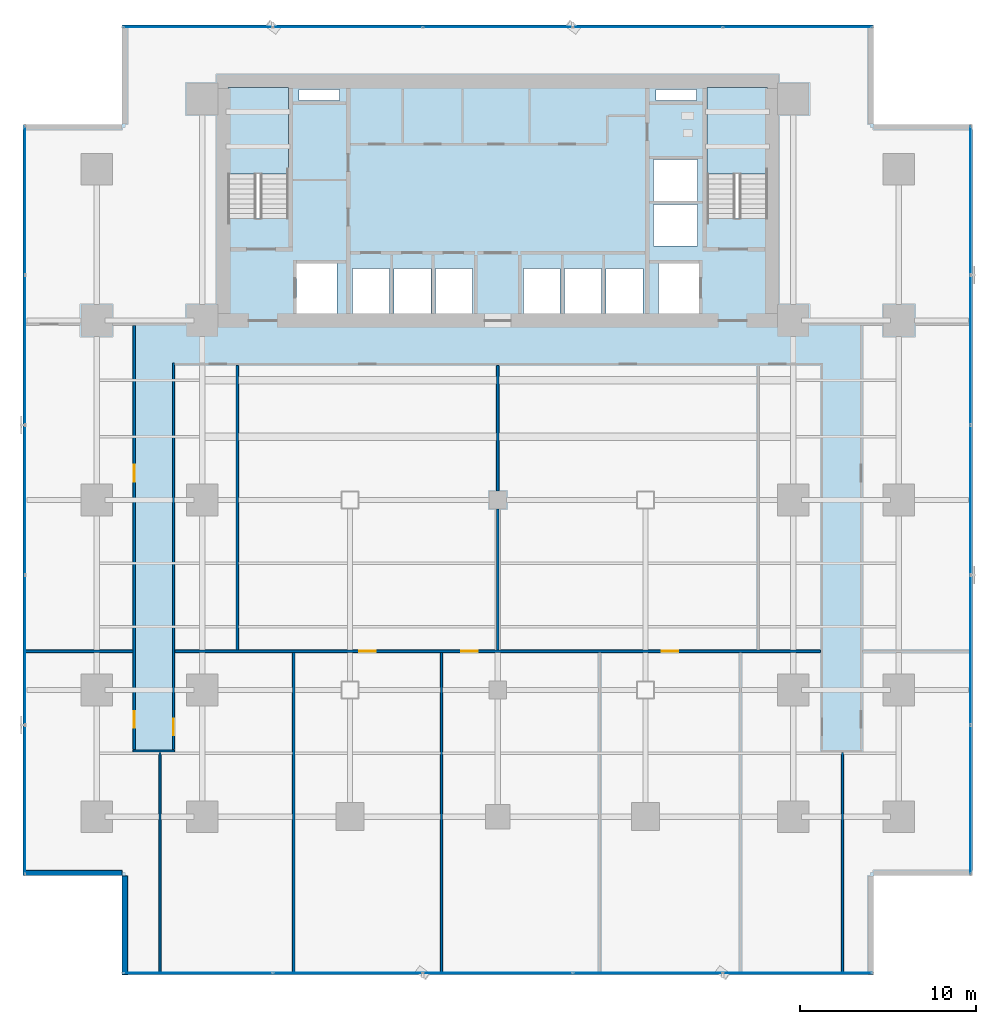
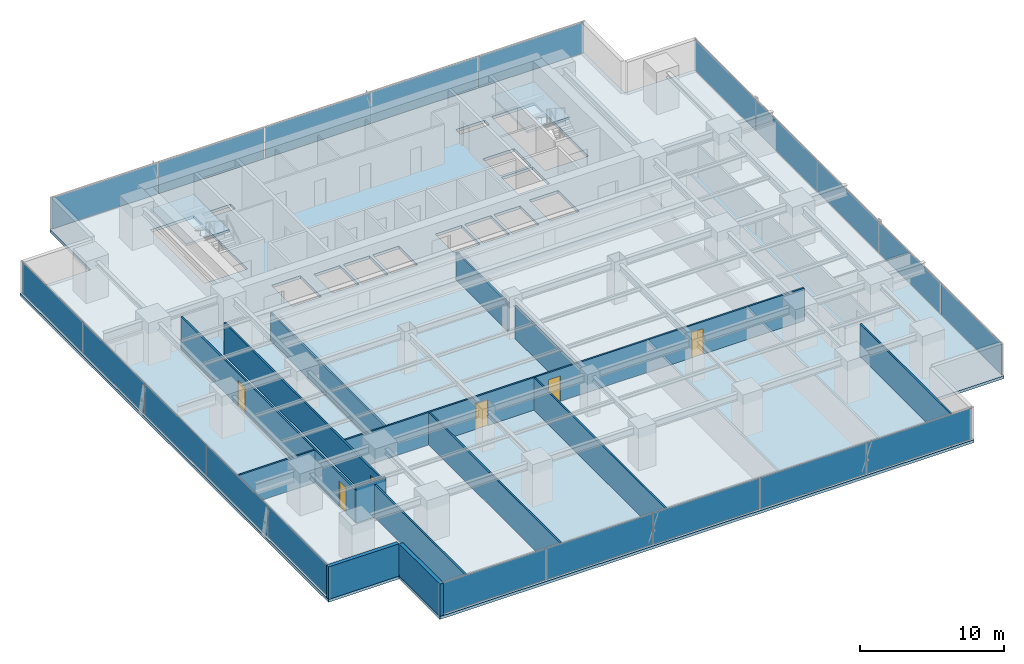
# One storey, part 24 of 34: 20 plates, 14 walls, 6 doors, 3 slabs, 6 openings, 6 elements without a shape of their own.
"""IFC4 building model written with IfcOpenShell, lengths in metres."""

from ifc_helpers import new_model, si_unit, direction, frame, frame_2d, origin, origin_2d, place, context, subcontext, project, spatial, polyline, rectangle, outline, extrude, source, transform, mapped, material, layer, layer_set, type_object, element, fill, aggregate, save


model = new_model("IFC4")

# Units and contexts
model_context = context("Model", 3, precision=1e-05, world=origin(), true_north=direction((0.0, 1.0)))
body_context = subcontext(model_context, "Body", "Model", "MODEL_VIEW")
ifc_project = project(units=[si_unit("LENGTHUNIT", "METRE"), si_unit("AREAUNIT", "SQUARE_METRE"), si_unit("VOLUMEUNIT", "CUBIC_METRE"), si_unit("PLANEANGLEUNIT", "RADIAN"), si_unit("MASSUNIT", "GRAM", prefix="KILO")], contexts=[model_context])

# Site, building, storey
site_placement = place(None, origin())
site = spatial("IfcSite", under=ifc_project, at=site_placement, CompositionType="ELEMENT")
building_placement = place(site_placement, origin())
building = spatial("IfcBuilding", under=site, at=building_placement, Name="Sumidabori Civic Tower", CompositionType="ELEMENT")
storey_placement = place(building_placement, frame((0.0, 0.0, 34.39990234375)))
storey = spatial("IfcBuildingStorey", under=building, at=storey_placement, Name="L08", CompositionType="ELEMENT", Elevation=34.39990234375)

# Stair, slab
ifc_material_1 = material(Name="Concrete C40/50", Category="concrete")
stair_type = type_object("IfcStairType", Name="ST-CORE-1600", PredefinedType="HALF_TURN_STAIR", material=ifc_material_1)
stair_1_placement = place(storey_placement, origin())
stair_1 = element("IfcStair", 1, at=stair_1_placement, inside=storey, type_object=stair_type, Name="L08 ST-1", PredefinedType="HALF_TURN_STAIR")
ifc_layer_1 = layer(ifc_material_1, 0.199951171875, Name="Concrete C40/50")
ifc_layer_set_1 = layer_set([ifc_layer_1], Name="Concrete C40/50")
slab_type_1 = type_object("IfcSlabType", Name="SL-LAND-200", PredefinedType="LANDING", material=ifc_layer_set_1)
slab_1_placement = place(storey_placement, frame((0.0, 0.0, 1.60009765625)))
slab_1 = element("IfcSlab", 2, at=slab_1_placement, type_object=slab_type_1, Name="ST-1 landing 1", PredefinedType="LANDING", context=body_context, shape_type="SweptSolid", body=[
    extrude(outline(polyline([(-11.89990234375, 18.52001953125), (-11.89990234375, 23.449951171875), (-15.340087890625, 23.449951171875), (-15.340087890625, 18.52001953125), (-11.89990234375, 18.52001953125)])), origin(), (0.0, 0.0, 1.0), 0.199951171875),
])
aggregate(stair_1, [slab_1])

stair_2_placement = place(storey_placement, origin())
stair_2 = element("IfcStair", 3, at=stair_2_placement, inside=storey, type_object=stair_type, Name="L08 ST-2", PredefinedType="HALF_TURN_STAIR")
slab_2_placement = place(storey_placement, frame((0.0, 0.0, 1.60009765625)))
slab_2 = element("IfcSlab", 4, at=slab_2_placement, type_object=slab_type_1, Name="ST-2 landing 1", PredefinedType="LANDING", context=body_context, shape_type="SweptSolid", body=[
    extrude(outline(polyline([(15.340087890625, 18.52001953125), (15.340087890625, 23.449951171875), (11.89990234375, 23.449951171875), (11.89990234375, 18.52001953125), (15.340087890625, 18.52001953125)])), origin(), (0.0, 0.0, 1.0), 0.199951171875),
])
aggregate(stair_2, [slab_2])

# Slab
ifc_layer_2 = layer(ifc_material_1, 0.239990234375, Name="Concrete C40/50")
ifc_layer_set_2 = layer_set([ifc_layer_2], Name="Concrete C40/50")
slab_type_2 = type_object("IfcSlabType", Name="SL-Z1-240", PredefinedType="FLOOR", material=ifc_layer_set_2)
slab_3_placement = place(storey_placement, frame((0.0, 0.0, -0.239990234375)))
element("IfcSlab", 5, at=slab_3_placement, inside=storey, type_object=slab_type_2, Name="Structural Slab L08", PredefinedType="FLOOR", context=body_context, shape_type="SweptSolid", body=[
    extrude(outline(polyline([(-21.35009765625, -27.0), (21.35009765625, -27.0), (21.35009765625, -21.35009765625), (27.0, -21.35009765625), (27.0, 21.35009765625), (21.35009765625, 21.35009765625), (21.35009765625, 27.0), (-21.35009765625, 27.0), (-21.35009765625, 21.35009765625), (-27.0, 21.35009765625), (-27.0, -21.35009765625), (-21.35009765625, -21.35009765625), (-21.35009765625, -27.0)]), holes=[polyline([(-11.89990234375, 16.0), (-11.89990234375, 23.449951171875), (-15.340087890625, 23.449951171875), (-15.340087890625, 16.0), (-11.89990234375, 16.0)]), polyline([(15.340087890625, 16.0), (15.340087890625, 23.449951171875), (11.89990234375, 23.449951171875), (11.89990234375, 16.0), (15.340087890625, 16.0)]), polyline([(-11.449951171875, 10.550048828125), (-9.14990234375, 10.550048828125), (-9.14990234375, 13.449951171875), (-11.449951171875, 13.449951171875), (-11.449951171875, 10.550048828125)]), polyline([(9.14990234375, 10.550048828125), (11.449951171875, 10.550048828125), (11.449951171875, 13.449951171875), (9.14990234375, 13.449951171875), (9.14990234375, 10.550048828125)]), polyline([(-8.25, 10.550048828125), (-6.14990234375, 10.550048828125), (-6.14990234375, 13.14990234375), (-8.25, 13.14990234375), (-8.25, 10.550048828125)]), polyline([(-5.89990234375, 10.550048828125), (-3.800048828125, 10.550048828125), (-3.800048828125, 13.14990234375), (-5.89990234375, 13.14990234375), (-5.89990234375, 10.550048828125)]), polyline([(-3.550048828125, 10.550048828125), (-1.449951171875, 10.550048828125), (-1.449951171875, 13.14990234375), (-3.550048828125, 13.14990234375), (-3.550048828125, 10.550048828125)]), polyline([(1.449951171875, 10.550048828125), (3.550048828125, 10.550048828125), (3.550048828125, 13.14990234375), (1.449951171875, 13.14990234375), (1.449951171875, 10.550048828125)]), polyline([(3.800048828125, 10.550048828125), (5.89990234375, 10.550048828125), (5.89990234375, 13.14990234375), (3.800048828125, 13.14990234375), (3.800048828125, 10.550048828125)]), polyline([(6.14990234375, 10.550048828125), (8.25, 10.550048828125), (8.25, 13.14990234375), (6.14990234375, 13.14990234375), (6.14990234375, 10.550048828125)]), polyline([(8.85009765625, 14.449951171875), (11.35009765625, 14.449951171875), (11.35009765625, 16.800048828125), (8.85009765625, 16.800048828125), (8.85009765625, 14.449951171875)]), polyline([(8.85009765625, 17.0), (11.35009765625, 17.0), (11.35009765625, 19.35009765625), (8.85009765625, 19.35009765625), (8.85009765625, 17.0)]), polyline([(-11.300048828125, 22.719970703125), (-9.0, 22.719970703125), (-9.0, 23.35009765625), (-11.300048828125, 23.35009765625), (-11.300048828125, 22.719970703125)]), polyline([(9.0, 22.719970703125), (11.300048828125, 22.719970703125), (11.300048828125, 23.35009765625), (9.0, 23.35009765625), (9.0, 22.719970703125)])]), origin(), (0.0, 0.0, 1.0), 0.239990234375),
])

# Curtain wall, plates
ifc_material_2 = material(Name="Anodised Bronze Aluminium AW-6063-T6", Category="aluminium")
ifc_layer_3 = layer(ifc_material_2, 0.179931640625, Name="Anodised Bronze Aluminium AW-6063-T6")
ifc_layer_set_3 = layer_set([ifc_layer_3], Name="Anodised Bronze Aluminium AW-6063-T6")
curtain_wall_type = type_object("IfcCurtainWallType", Name="CW-SYS-2", PredefinedType="NOTDEFINED", material=ifc_layer_set_3)
curtain_wall_1_placement = place(storey_placement, origin())
curtain_wall_1 = element("IfcCurtainWall", 6, at=curtain_wall_1_placement, inside=storey, type_object=curtain_wall_type, Name="Curtain Wall CW:L08:R01", PredefinedType="NOTDEFINED")
ifc_material_3 = material(Name="Low-E Solar-Control Vision Glazing", Category="glass")
ifc_layer_4 = layer(ifc_material_3, 0.028076171875, Name="Low-E Solar-Control Vision Glazing")
ifc_layer_set_4 = layer_set([ifc_layer_4], Name="Low-E Solar-Control Vision Glazing")
plate_type = type_object("IfcPlateType", Name="CW-PNL-28", PredefinedType="CURTAIN_PANEL", material=ifc_layer_set_4)
shared_shape_1 = source(origin(), body_context, "Body", "SweptSolid", [
    extrude(rectangle(XDim=8.423095703125, YDim=0.028076171875, at=origin_2d()), origin(), (0.0, 0.0, 1.0), 2.610107421875),
])
plate_1_placement = place(storey_placement, frame((-17.03857421875, -26.8798828125, 0.06494140625), z_axis=(0.0, 0.0, 1.0), x_axis=(1.0, 0.0, 0.0)))
plate_1 = element("IfcPlate", 7, at=plate_1_placement, type_object=plate_type, Name="CW-2 panel 1.1", PredefinedType="CURTAIN_PANEL", context=body_context, shape_type="MappedRepresentation", body=[
    mapped(shared_shape_1, transform((0.0, 0.0, 0.0), x_axis=(1.0, 0.0, 0.0), y_axis=(0.0, 1.0, 0.0), z_axis=(0.0, 0.0, 1.0), scale=1.0)),
])
plate_2_placement = place(storey_placement, frame((17.03857421875, -26.8798828125, 0.06494140625), z_axis=(0.0, 0.0, 1.0), x_axis=(1.0, 0.0, 0.0)))
plate_2 = element("IfcPlate", 8, at=plate_2_placement, type_object=plate_type, Name="CW-2 panel 5.1", PredefinedType="CURTAIN_PANEL", context=body_context, shape_type="MappedRepresentation", body=[
    mapped(shared_shape_1, transform((0.0, 0.0, 0.0), x_axis=(1.0, 0.0, 0.0), y_axis=(0.0, 1.0, 0.0), z_axis=(0.0, 0.0, 1.0), scale=1.0)),
])

curtain_wall_2_placement = place(storey_placement, origin())
curtain_wall_2 = element("IfcCurtainWall", 9, at=curtain_wall_2_placement, inside=storey, type_object=curtain_wall_type, Name="Curtain Wall CW:L08:R04", PredefinedType="NOTDEFINED")
plate_3_placement = place(storey_placement, frame((26.8798828125, -17.03857421875, 0.06494140625), z_axis=(0.0, 0.0, 1.0), x_axis=(0.0, 1.0, 0.0)))
plate_3 = element("IfcPlate", 10, at=plate_3_placement, type_object=plate_type, Name="CW-2 panel 1.1", PredefinedType="CURTAIN_PANEL", context=body_context, shape_type="MappedRepresentation", body=[
    mapped(shared_shape_1, transform((0.0, 0.0, 0.0), x_axis=(1.0, 0.0, 0.0), y_axis=(0.0, 1.0, 0.0), z_axis=(0.0, 0.0, 1.0), scale=1.0)),
])
plate_4_placement = place(storey_placement, frame((26.8798828125, 17.03857421875, 0.06494140625), z_axis=(0.0, 0.0, 1.0), x_axis=(0.0, 1.0, 0.0)))
plate_4 = element("IfcPlate", 11, at=plate_4_placement, type_object=plate_type, Name="CW-2 panel 5.1", PredefinedType="CURTAIN_PANEL", context=body_context, shape_type="MappedRepresentation", body=[
    mapped(shared_shape_1, transform((0.0, 0.0, 0.0), x_axis=(1.0, 0.0, 0.0), y_axis=(0.0, 1.0, 0.0), z_axis=(0.0, 0.0, 1.0), scale=1.0)),
])

curtain_wall_3_placement = place(storey_placement, origin())
curtain_wall_3 = element("IfcCurtainWall", 12, at=curtain_wall_3_placement, inside=storey, type_object=curtain_wall_type, Name="Curtain Wall CW:L08:R07", PredefinedType="NOTDEFINED")
plate_5_placement = place(storey_placement, frame((17.03857421875, 26.8798828125, 0.06494140625), z_axis=(0.0, 0.0, 1.0), x_axis=(-1.0, 0.0, 0.0)))
plate_5 = element("IfcPlate", 13, at=plate_5_placement, type_object=plate_type, Name="CW-2 panel 1.1", PredefinedType="CURTAIN_PANEL", context=body_context, shape_type="MappedRepresentation", body=[
    mapped(shared_shape_1, transform((0.0, 0.0, 0.0), x_axis=(1.0, 0.0, 0.0), y_axis=(0.0, 1.0, 0.0), z_axis=(0.0, 0.0, 1.0), scale=1.0)),
])
plate_6_placement = place(storey_placement, frame((-17.03857421875, 26.8798828125, 0.06494140625), z_axis=(0.0, 0.0, 1.0), x_axis=(-1.0, 0.0, 0.0)))
plate_6 = element("IfcPlate", 14, at=plate_6_placement, type_object=plate_type, Name="CW-2 panel 5.1", PredefinedType="CURTAIN_PANEL", context=body_context, shape_type="MappedRepresentation", body=[
    mapped(shared_shape_1, transform((0.0, 0.0, 0.0), x_axis=(1.0, 0.0, 0.0), y_axis=(0.0, 1.0, 0.0), z_axis=(0.0, 0.0, 1.0), scale=1.0)),
])

curtain_wall_4_placement = place(storey_placement, origin())
curtain_wall_4 = element("IfcCurtainWall", 15, at=curtain_wall_4_placement, inside=storey, type_object=curtain_wall_type, Name="Curtain Wall CW:L08:R10", PredefinedType="NOTDEFINED")
plate_7_placement = place(storey_placement, frame((-26.8798828125, 17.03857421875, 0.06494140625), z_axis=(0.0, 0.0, 1.0), x_axis=(0.0, -1.0, 0.0)))
plate_7 = element("IfcPlate", 16, at=plate_7_placement, type_object=plate_type, Name="CW-2 panel 1.1", PredefinedType="CURTAIN_PANEL", context=body_context, shape_type="MappedRepresentation", body=[
    mapped(shared_shape_1, transform((0.0, 0.0, 0.0), x_axis=(1.0, 0.0, 0.0), y_axis=(0.0, 1.0, 0.0), z_axis=(0.0, 0.0, 1.0), scale=1.0)),
])
plate_8_placement = place(storey_placement, frame((-26.8798828125, -17.03857421875, 0.06494140625), z_axis=(0.0, 0.0, 1.0), x_axis=(0.0, -1.0, 0.0)))
plate_8 = element("IfcPlate", 17, at=plate_8_placement, type_object=plate_type, Name="CW-2 panel 5.1", PredefinedType="CURTAIN_PANEL", context=body_context, shape_type="MappedRepresentation", body=[
    mapped(shared_shape_1, transform((0.0, 0.0, 0.0), x_axis=(1.0, 0.0, 0.0), y_axis=(0.0, 1.0, 0.0), z_axis=(0.0, 0.0, 1.0), scale=1.0)),
])

# Plate
shared_shape_2 = source(origin(), body_context, "Body", "SweptSolid", [
    extrude(rectangle(XDim=8.4580078125, YDim=0.028076171875, at=origin_2d()), origin(), (0.0, 0.0, 1.0), 2.610107421875),
])
plate_9_placement = place(storey_placement, frame((-8.528076171875, -26.8798828125, 0.06494140625), z_axis=(0.0, 0.0, 1.0), x_axis=(1.0, 0.0, 0.0)))
plate_9 = element("IfcPlate", 18, at=plate_9_placement, type_object=plate_type, Name="CW-2 panel 2.1", PredefinedType="CURTAIN_PANEL", context=body_context, shape_type="MappedRepresentation", body=[
    mapped(shared_shape_2, transform((0.0, 0.0, 0.0), x_axis=(1.0, 0.0, 0.0), y_axis=(0.0, 1.0, 0.0), z_axis=(0.0, 0.0, 1.0), scale=1.0)),
])

plate_10_placement = place(storey_placement, frame((0.0, -26.8798828125, 0.06494140625), z_axis=(0.0, 0.0, 1.0), x_axis=(1.0, 0.0, 0.0)))
plate_10 = element("IfcPlate", 19, at=plate_10_placement, type_object=plate_type, Name="CW-2 panel 3.1", PredefinedType="CURTAIN_PANEL", context=body_context, shape_type="MappedRepresentation", body=[
    mapped(shared_shape_2, transform((0.0, 0.0, 0.0), x_axis=(1.0, 0.0, 0.0), y_axis=(0.0, 1.0, 0.0), z_axis=(0.0, 0.0, 1.0), scale=1.0)),
])

plate_11_placement = place(storey_placement, frame((8.528076171875, -26.8798828125, 0.06494140625), z_axis=(0.0, 0.0, 1.0), x_axis=(1.0, 0.0, 0.0)))
plate_11 = element("IfcPlate", 20, at=plate_11_placement, type_object=plate_type, Name="CW-2 panel 4.1", PredefinedType="CURTAIN_PANEL", context=body_context, shape_type="MappedRepresentation", body=[
    mapped(shared_shape_2, transform((0.0, 0.0, 0.0), x_axis=(1.0, 0.0, 0.0), y_axis=(0.0, 1.0, 0.0), z_axis=(0.0, 0.0, 1.0), scale=1.0)),
])

aggregate(curtain_wall_1, [plate_1, plate_9, plate_10, plate_11, plate_2])

plate_12_placement = place(storey_placement, frame((26.8798828125, -8.528076171875, 0.06494140625), z_axis=(0.0, 0.0, 1.0), x_axis=(0.0, 1.0, 0.0)))
plate_12 = element("IfcPlate", 21, at=plate_12_placement, type_object=plate_type, Name="CW-2 panel 2.1", PredefinedType="CURTAIN_PANEL", context=body_context, shape_type="MappedRepresentation", body=[
    mapped(shared_shape_2, transform((0.0, 0.0, 0.0), x_axis=(1.0, 0.0, 0.0), y_axis=(0.0, 1.0, 0.0), z_axis=(0.0, 0.0, 1.0), scale=1.0)),
])

plate_13_placement = place(storey_placement, frame((26.8798828125, 0.0, 0.06494140625), z_axis=(0.0, 0.0, 1.0), x_axis=(0.0, 1.0, 0.0)))
plate_13 = element("IfcPlate", 22, at=plate_13_placement, type_object=plate_type, Name="CW-2 panel 3.1", PredefinedType="CURTAIN_PANEL", context=body_context, shape_type="MappedRepresentation", body=[
    mapped(shared_shape_2, transform((0.0, 0.0, 0.0), x_axis=(1.0, 0.0, 0.0), y_axis=(0.0, 1.0, 0.0), z_axis=(0.0, 0.0, 1.0), scale=1.0)),
])

plate_14_placement = place(storey_placement, frame((26.8798828125, 8.528076171875, 0.06494140625), z_axis=(0.0, 0.0, 1.0), x_axis=(0.0, 1.0, 0.0)))
plate_14 = element("IfcPlate", 23, at=plate_14_placement, type_object=plate_type, Name="CW-2 panel 4.1", PredefinedType="CURTAIN_PANEL", context=body_context, shape_type="MappedRepresentation", body=[
    mapped(shared_shape_2, transform((0.0, 0.0, 0.0), x_axis=(1.0, 0.0, 0.0), y_axis=(0.0, 1.0, 0.0), z_axis=(0.0, 0.0, 1.0), scale=1.0)),
])

aggregate(curtain_wall_2, [plate_3, plate_12, plate_13, plate_14, plate_4])

plate_15_placement = place(storey_placement, frame((8.528076171875, 26.8798828125, 0.06494140625), z_axis=(0.0, 0.0, 1.0), x_axis=(-1.0, 0.0, 0.0)))
plate_15 = element("IfcPlate", 24, at=plate_15_placement, type_object=plate_type, Name="CW-2 panel 2.1", PredefinedType="CURTAIN_PANEL", context=body_context, shape_type="MappedRepresentation", body=[
    mapped(shared_shape_2, transform((0.0, 0.0, 0.0), x_axis=(1.0, 0.0, 0.0), y_axis=(0.0, 1.0, 0.0), z_axis=(0.0, 0.0, 1.0), scale=1.0)),
])

plate_16_placement = place(storey_placement, frame((0.0, 26.8798828125, 0.06494140625), z_axis=(0.0, 0.0, 1.0), x_axis=(-1.0, 0.0, 0.0)))
plate_16 = element("IfcPlate", 25, at=plate_16_placement, type_object=plate_type, Name="CW-2 panel 3.1", PredefinedType="CURTAIN_PANEL", context=body_context, shape_type="MappedRepresentation", body=[
    mapped(shared_shape_2, transform((0.0, 0.0, 0.0), x_axis=(1.0, 0.0, 0.0), y_axis=(0.0, 1.0, 0.0), z_axis=(0.0, 0.0, 1.0), scale=1.0)),
])

plate_17_placement = place(storey_placement, frame((-8.528076171875, 26.8798828125, 0.06494140625), z_axis=(0.0, 0.0, 1.0), x_axis=(-1.0, 0.0, 0.0)))
plate_17 = element("IfcPlate", 26, at=plate_17_placement, type_object=plate_type, Name="CW-2 panel 4.1", PredefinedType="CURTAIN_PANEL", context=body_context, shape_type="MappedRepresentation", body=[
    mapped(shared_shape_2, transform((0.0, 0.0, 0.0), x_axis=(1.0, 0.0, 0.0), y_axis=(0.0, 1.0, 0.0), z_axis=(0.0, 0.0, 1.0), scale=1.0)),
])

aggregate(curtain_wall_3, [plate_5, plate_15, plate_16, plate_17, plate_6])

plate_18_placement = place(storey_placement, frame((-26.8798828125, 8.528076171875, 0.06494140625), z_axis=(0.0, 0.0, 1.0), x_axis=(0.0, -1.0, 0.0)))
plate_18 = element("IfcPlate", 27, at=plate_18_placement, type_object=plate_type, Name="CW-2 panel 2.1", PredefinedType="CURTAIN_PANEL", context=body_context, shape_type="MappedRepresentation", body=[
    mapped(shared_shape_2, transform((0.0, 0.0, 0.0), x_axis=(1.0, 0.0, 0.0), y_axis=(0.0, 1.0, 0.0), z_axis=(0.0, 0.0, 1.0), scale=1.0)),
])

plate_19_placement = place(storey_placement, frame((-26.8798828125, 0.0, 0.06494140625), z_axis=(0.0, 0.0, 1.0), x_axis=(0.0, -1.0, 0.0)))
plate_19 = element("IfcPlate", 28, at=plate_19_placement, type_object=plate_type, Name="CW-2 panel 3.1", PredefinedType="CURTAIN_PANEL", context=body_context, shape_type="MappedRepresentation", body=[
    mapped(shared_shape_2, transform((0.0, 0.0, 0.0), x_axis=(1.0, 0.0, 0.0), y_axis=(0.0, 1.0, 0.0), z_axis=(0.0, 0.0, 1.0), scale=1.0)),
])

plate_20_placement = place(storey_placement, frame((-26.8798828125, -8.528076171875, 0.06494140625), z_axis=(0.0, 0.0, 1.0), x_axis=(0.0, -1.0, 0.0)))
plate_20 = element("IfcPlate", 29, at=plate_20_placement, type_object=plate_type, Name="CW-2 panel 4.1", PredefinedType="CURTAIN_PANEL", context=body_context, shape_type="MappedRepresentation", body=[
    mapped(shared_shape_2, transform((0.0, 0.0, 0.0), x_axis=(1.0, 0.0, 0.0), y_axis=(0.0, 1.0, 0.0), z_axis=(0.0, 0.0, 1.0), scale=1.0)),
])

aggregate(curtain_wall_4, [plate_7, plate_18, plate_19, plate_20, plate_8])

# Walls
ifc_material_4 = material(Name="Precast concrete C40/50", Category="concrete")
ifc_layer_5 = layer(ifc_material_4, 0.300048828125, Name="Precast concrete C40/50")
ifc_layer_set_5 = layer_set([ifc_layer_5], Name="Precast concrete C40/50")
wall_type_1 = type_object("IfcWallType", Name="WL-EXT-POD300", PredefinedType="STANDARD", material=ifc_layer_set_5)
shared_shape_3 = source(origin(), body_context, "Body", "SweptSolid", [
    extrude(rectangle(XDim=5.60986328125, YDim=0.300048828125, at=frame_2d((2.804931640625, 0.0))), origin(), (0.0, 0.0, 1.0), 2.739990234375),
])
for number, where, z_axis, x_axis, name in (
    (30, (-26.97998046875, -21.199951171875, 0.0), (0.0, 0.0, 1.0), (1.0, 0.0, 0.0), "Notched Corner Spandrel Band L08-11"),
    (31, (-21.199951171875, -21.3701171875, 0.0), (0.0, 0.0, 1.0), (0.0, -1.0, 0.0), "Notched Corner Spandrel Band L08-12"),
):
    element("IfcWall", number, at=place(storey_placement, frame(where, z_axis=z_axis, x_axis=x_axis)), inside=storey, type_object=wall_type_1, Name=name, PredefinedType="STANDARD", context=body_context, shape_type="MappedRepresentation", body=[
        mapped(shared_shape_3, transform((0.0, 0.0, 0.0), x_axis=(1.0, 0.0, 0.0), y_axis=(0.0, 1.0, 0.0), z_axis=(0.0, 0.0, 1.0), scale=1.0)),
    ])
ifc_material_5 = material(Name="Gypsum Plasterboard Acoustic Partition")
ifc_layer_6 = layer(ifc_material_5, 0.135009765625, Name="Gypsum Plasterboard Acoustic Partition")
ifc_layer_set_6 = layer_set([ifc_layer_6], Name="Gypsum Plasterboard Acoustic Partition")
wall_type_2 = type_object("IfcWallType", Name="WL-PART-135", PredefinedType="PARTITIONING", material=ifc_layer_set_6)
shared_shape_4 = source(origin(), body_context, "Body", "SweptSolid", [
    extrude(rectangle(XDim=2.3701171875, YDim=0.135009765625, at=frame_2d((1.18505859375, 0.0))), origin(), (0.0, 0.0, 1.0), 3.045166015625),
])
wall_1_placement = place(storey_placement, frame((-20.735107421875, -14.267578125, 0.0), z_axis=(0.0, 0.0, 1.0), x_axis=(1.0, 0.0, 0.0)))
element("IfcWall", 32, at=wall_1_placement, inside=storey, type_object=wall_type_2, Name="Interior Partition WL:L08:CORR-CAP-W", PredefinedType="PARTITIONING", context=body_context, shape_type="MappedRepresentation", body=[
    mapped(shared_shape_4, transform((0.0, 0.0, 0.0), x_axis=(1.0, 0.0, 0.0), y_axis=(0.0, 1.0, 0.0), z_axis=(0.0, 0.0, 1.0), scale=1.0)),
])

# Wall, openings, doors
shared_shape_5 = source(origin(), body_context, "Body", "SweptSolid", [
    extrude(rectangle(XDim=24.12255859375, YDim=0.135009765625, at=frame_2d((12.061279296875, 0.0))), origin(), (0.0, 0.0, 1.0), 2.7451171875),
])
wall_2_placement = place(storey_placement, frame((-20.66748046875, -14.195068359375, 0.0), z_axis=(0.0, 0.0, 1.0), x_axis=(0.0, 1.0, 0.0)))
wall_2 = element("IfcWall", 33, at=wall_2_placement, inside=storey, type_object=wall_type_2, Name="Interior Partition WL:L08:CORR-VW-OUT", PredefinedType="PARTITIONING", context=body_context, shape_type="MappedRepresentation", body=[
    mapped(shared_shape_5, transform((0.0, 0.0, 0.0), x_axis=(1.0, 0.0, 0.0), y_axis=(0.0, 1.0, 0.0), z_axis=(0.0, 0.0, 1.0), scale=1.0)),
])
opening_1_placement = place(wall_2_placement, frame((15.237548828125, 0.0, 0.0)))
opening_1 = element("IfcOpeningElement", 34, at=opening_1_placement, cuts=wall_2, Name="Opening DR-2", PredefinedType="OPENING", context=body_context, shape_type="SweptSolid", body=[
    extrude(rectangle(XDim=0.949951171875, YDim=2.14990234375, at=frame_2d((0.47509765625, 1.074951171875))), frame((0.0, 0.07958984375, 0.0), z_axis=(0.0, -1.0, 0.0), x_axis=(1.0, 0.0, 0.0)), (0.0, 0.0, 1.0), 0.158935546875),
])
opening_2_placement = place(wall_2_placement, frame((1.248779296875, 0.0, 0.0)))
opening_2 = element("IfcOpeningElement", 35, at=opening_2_placement, cuts=wall_2, Name="Opening DR-2", PredefinedType="OPENING", context=body_context, shape_type="SweptSolid", body=[
    extrude(rectangle(XDim=0.949951171875, YDim=2.14990234375, at=frame_2d((0.47509765625, 1.074951171875))), frame((0.0, 0.07958984375, 0.0), z_axis=(0.0, -1.0, 0.0), x_axis=(1.0, 0.0, 0.0)), (0.0, 0.0, 1.0), 0.158935546875),
])
ifc_material_6 = material(Name="Japanese Hinoki Timber", Category="wood")
door_type = type_object("IfcDoorType", Name="DR-INT-950", OperationType="NOTDEFINED", PredefinedType="DOOR", material=ifc_material_6)
shared_shape_6 = source(origin(), body_context, "Body", "SweptSolid", [
    extrude(rectangle(XDim=0.949951171875, YDim=2.14990234375, at=frame_2d((0.47509765625, 1.074951171875))), frame((0.0, 0.02490234375, 0.0), z_axis=(0.0, -1.0, 0.0), x_axis=(1.0, 0.0, 0.0)), (0.0, 0.0, 1.0), 0.050048828125),
])
door_1_placement = place(opening_1_placement, origin())
door_1 = element("IfcDoor", 36, at=door_1_placement, inside=storey, type_object=door_type, Name="Door DR:L08:D01", OperationType="SINGLE_SWING_LEFT", OverallHeight=2.14990234375, OverallWidth=0.949951171875, PredefinedType="DOOR", context=body_context, shape_type="MappedRepresentation", body=[
    mapped(shared_shape_6, transform((0.0, 0.0, 0.0), x_axis=(1.0, 0.0, 0.0), y_axis=(0.0, 1.0, 0.0), z_axis=(0.0, 0.0, 1.0), scale=1.0)),
])
fill(opening_1, door_1)
door_2_placement = place(opening_2_placement, origin())
door_2 = element("IfcDoor", 37, at=door_2_placement, inside=storey, type_object=door_type, Name="Door DR:L08:D08", OperationType="SINGLE_SWING_RIGHT", OverallHeight=2.14990234375, OverallWidth=0.949951171875, PredefinedType="DOOR", context=body_context, shape_type="MappedRepresentation", body=[
    mapped(shared_shape_6, transform((0.0, 0.0, 0.0), x_axis=(1.0, 0.0, 0.0), y_axis=(0.0, 1.0, 0.0), z_axis=(0.0, 0.0, 1.0), scale=1.0)),
])
fill(opening_2, door_2)

# Wall, opening, door
shared_shape_7 = source(origin(), body_context, "Body", "SweptSolid", [
    extrude(rectangle(XDim=21.9951171875, YDim=0.135009765625, at=frame_2d((10.99755859375, 0.0))), origin(), (0.0, 0.0, 1.0), 2.7451171875),
])
wall_3_placement = place(storey_placement, frame((-18.4326171875, -14.195068359375, 0.0), z_axis=(0.0, 0.0, 1.0), x_axis=(0.0, 1.0, 0.0)))
wall_3 = element("IfcWall", 38, at=wall_3_placement, inside=storey, type_object=wall_type_2, Name="Interior Partition WL:L08:CORR-VW-IN", PredefinedType="PARTITIONING", context=body_context, shape_type="MappedRepresentation", body=[
    mapped(shared_shape_7, transform((0.0, 0.0, 0.0), x_axis=(1.0, 0.0, 0.0), y_axis=(0.0, 1.0, 0.0), z_axis=(0.0, 0.0, 1.0), scale=1.0)),
])
opening_3_placement = place(wall_3_placement, frame((0.80859375, 0.0, 0.0)))
opening_3 = element("IfcOpeningElement", 39, at=opening_3_placement, cuts=wall_3, Name="Opening DR-2", PredefinedType="OPENING", context=body_context, shape_type="SweptSolid", body=[
    extrude(rectangle(XDim=0.949951171875, YDim=2.14990234375, at=frame_2d((0.47509765625, 1.074951171875))), frame((0.0, 0.07958984375, 0.0), z_axis=(0.0, -1.0, 0.0), x_axis=(1.0, 0.0, 0.0)), (0.0, 0.0, 1.0), 0.158935546875),
])
door_3_placement = place(opening_3_placement, origin())
door_3 = element("IfcDoor", 40, at=door_3_placement, inside=storey, type_object=door_type, Name="Door DR:L08:D09", OperationType="SINGLE_SWING_LEFT", OverallHeight=2.14990234375, OverallWidth=0.949951171875, PredefinedType="DOOR", context=body_context, shape_type="MappedRepresentation", body=[
    mapped(shared_shape_6, transform((0.0, 0.0, 0.0), x_axis=(1.0, 0.0, 0.0), y_axis=(0.0, 1.0, 0.0), z_axis=(0.0, 0.0, 1.0), scale=1.0)),
])
fill(opening_3, door_3)

# Wall
shared_shape_8 = source(origin(), body_context, "Body", "SweptSolid", [
    extrude(rectangle(XDim=6.110107421875, YDim=0.135009765625, at=frame_2d((3.05517578125, 0.0))), origin(), (0.0, 0.0, 1.0), 2.7451171875),
])
wall_4_placement = place(storey_placement, frame((-26.85009765625, -8.60009765625, 0.0), z_axis=(0.0, 0.0, 1.0), x_axis=(1.0, 0.0, 0.0)))
element("IfcWall", 41, at=wall_4_placement, inside=storey, type_object=wall_type_2, Name="Interior Partition WL:L08:BAND-Y-1", PredefinedType="PARTITIONING", context=body_context, shape_type="MappedRepresentation", body=[
    mapped(shared_shape_8, transform((0.0, 0.0, 0.0), x_axis=(1.0, 0.0, 0.0), y_axis=(0.0, 1.0, 0.0), z_axis=(0.0, 0.0, 1.0), scale=1.0)),
])

# Wall, openings, doors
shared_shape_9 = source(origin(), body_context, "Body", "SweptSolid", [
    extrude(rectangle(XDim=36.72021484375, YDim=0.135009765625, at=frame_2d((18.360107421875, 0.0))), origin(), (0.0, 0.0, 1.0), 2.7451171875),
])
wall_5_placement = place(storey_placement, frame((-18.360107421875, -8.60009765625, 0.0), z_axis=(0.0, 0.0, 1.0), x_axis=(1.0, 0.0, 0.0)))
wall_5 = element("IfcWall", 42, at=wall_5_placement, inside=storey, type_object=wall_type_2, Name="Interior Partition WL:L08:BAND-Y-2", PredefinedType="PARTITIONING", context=body_context, shape_type="MappedRepresentation", body=[
    mapped(shared_shape_9, transform((0.0, 0.0, 0.0), x_axis=(1.0, 0.0, 0.0), y_axis=(0.0, 1.0, 0.0), z_axis=(0.0, 0.0, 1.0), scale=1.0)),
])
opening_4_placement = place(wall_5_placement, frame((10.485107421875, 0.0, 0.0)))
opening_4 = element("IfcOpeningElement", 43, at=opening_4_placement, cuts=wall_5, Name="Opening DR-2", PredefinedType="OPENING", context=body_context, shape_type="SweptSolid", body=[
    extrude(rectangle(XDim=0.949951171875, YDim=2.14990234375, at=frame_2d((0.47509765625, 1.074951171875))), frame((0.0, 0.07958984375, 0.0), z_axis=(0.0, -1.0, 0.0), x_axis=(1.0, 0.0, 0.0)), (0.0, 0.0, 1.0), 0.158935546875),
])
opening_5_placement = place(wall_5_placement, frame((16.284912109375, 0.0, 0.0)))
opening_5 = element("IfcOpeningElement", 44, at=opening_5_placement, cuts=wall_5, Name="Opening DR-2", PredefinedType="OPENING", context=body_context, shape_type="SweptSolid", body=[
    extrude(rectangle(XDim=0.949951171875, YDim=2.14990234375, at=frame_2d((0.47509765625, 1.074951171875))), frame((0.0, 0.07958984375, 0.0), z_axis=(0.0, -1.0, 0.0), x_axis=(1.0, 0.0, 0.0)), (0.0, 0.0, 1.0), 0.158935546875),
])
opening_6_placement = place(wall_5_placement, frame((27.68505859375, 0.0, 0.0)))
opening_6 = element("IfcOpeningElement", 45, at=opening_6_placement, cuts=wall_5, Name="Opening DR-2", PredefinedType="OPENING", context=body_context, shape_type="SweptSolid", body=[
    extrude(rectangle(XDim=0.949951171875, YDim=2.14990234375, at=frame_2d((0.47509765625, 1.074951171875))), frame((0.0, 0.07958984375, 0.0), z_axis=(0.0, -1.0, 0.0), x_axis=(1.0, 0.0, 0.0)), (0.0, 0.0, 1.0), 0.158935546875),
])
door_4_placement = place(opening_4_placement, origin())
door_4 = element("IfcDoor", 46, at=door_4_placement, inside=storey, type_object=door_type, Name="Door DR:L08:D12", OperationType="SINGLE_SWING_RIGHT", OverallHeight=2.14990234375, OverallWidth=0.949951171875, PredefinedType="DOOR", context=body_context, shape_type="MappedRepresentation", body=[
    mapped(shared_shape_6, transform((0.0, 0.0, 0.0), x_axis=(1.0, 0.0, 0.0), y_axis=(0.0, 1.0, 0.0), z_axis=(0.0, 0.0, 1.0), scale=1.0)),
])
fill(opening_4, door_4)
door_5_placement = place(opening_5_placement, origin())
door_5 = element("IfcDoor", 47, at=door_5_placement, inside=storey, type_object=door_type, Name="Door DR:L08:D13", OperationType="SINGLE_SWING_LEFT", OverallHeight=2.14990234375, OverallWidth=0.949951171875, PredefinedType="DOOR", context=body_context, shape_type="MappedRepresentation", body=[
    mapped(shared_shape_6, transform((0.0, 0.0, 0.0), x_axis=(1.0, 0.0, 0.0), y_axis=(0.0, 1.0, 0.0), z_axis=(0.0, 0.0, 1.0), scale=1.0)),
])
fill(opening_5, door_5)
door_6_placement = place(opening_6_placement, origin())
door_6 = element("IfcDoor", 48, at=door_6_placement, inside=storey, type_object=door_type, Name="Door DR:L08:D14", OperationType="SINGLE_SWING_RIGHT", OverallHeight=2.14990234375, OverallWidth=0.949951171875, PredefinedType="DOOR", context=body_context, shape_type="MappedRepresentation", body=[
    mapped(shared_shape_6, transform((0.0, 0.0, 0.0), x_axis=(1.0, 0.0, 0.0), y_axis=(0.0, 1.0, 0.0), z_axis=(0.0, 0.0, 1.0), scale=1.0)),
])
fill(opening_6, door_6)

# Walls
shared_shape_10 = source(origin(), body_context, "Body", "SweptSolid", [
    extrude(rectangle(XDim=16.1875, YDim=0.135009765625, at=frame_2d((8.09375, 0.0))), origin(), (0.0, 0.0, 1.0), 2.3701171875),
])
wall_6_placement = place(storey_placement, frame((-14.800048828125, -8.527587890625, 0.0), z_axis=(0.0, 0.0, 1.0), x_axis=(0.0, 1.0, 0.0)))
element("IfcWall", 49, at=wall_6_placement, inside=storey, type_object=wall_type_2, Name="Interior Partition WL:L08:VX-N1", PredefinedType="PARTITIONING", context=body_context, shape_type="MappedRepresentation", body=[
    mapped(shared_shape_10, transform((0.0, 0.0, 0.0), x_axis=(1.0, 0.0, 0.0), y_axis=(0.0, 1.0, 0.0), z_axis=(0.0, 0.0, 1.0), scale=1.0)),
])
shared_shape_11 = source(origin(), body_context, "Body", "SweptSolid", [
    extrude(rectangle(XDim=8.017578125, YDim=0.135009765625, at=frame_2d((4.0087890625, 0.0))), origin(), (0.0, 0.0, 1.0), 2.7451171875),
])
wall_7_placement = place(storey_placement, frame((0.0, -8.527587890625, 0.0), z_axis=(0.0, 0.0, 1.0), x_axis=(0.0, 1.0, 0.0)))
element("IfcWall", 50, at=wall_7_placement, inside=storey, type_object=wall_type_2, Name="Interior Partition WL:L08:VX-N2-1", PredefinedType="PARTITIONING", context=body_context, shape_type="MappedRepresentation", body=[
    mapped(shared_shape_11, transform((0.0, 0.0, 0.0), x_axis=(1.0, 0.0, 0.0), y_axis=(0.0, 1.0, 0.0), z_axis=(0.0, 0.0, 1.0), scale=1.0)),
])
shared_shape_12 = source(origin(), body_context, "Body", "SweptSolid", [
    extrude(rectangle(XDim=7.14990234375, YDim=0.135009765625, at=frame_2d((3.574951171875, 0.0))), origin(), (0.0, 0.0, 1.0), 2.3701171875),
])
wall_8_placement = place(storey_placement, frame((0.0, 0.510009765625, 0.0), z_axis=(0.0, 0.0, 1.0), x_axis=(0.0, 1.0, 0.0)))
element("IfcWall", 51, at=wall_8_placement, inside=storey, type_object=wall_type_2, Name="Interior Partition WL:L08:VX-N2-2", PredefinedType="PARTITIONING", context=body_context, shape_type="MappedRepresentation", body=[
    mapped(shared_shape_12, transform((0.0, 0.0, 0.0), x_axis=(1.0, 0.0, 0.0), y_axis=(0.0, 1.0, 0.0), z_axis=(0.0, 0.0, 1.0), scale=1.0)),
])
shared_shape_13 = source(origin(), body_context, "Body", "SweptSolid", [
    extrude(rectangle(XDim=12.510009765625, YDim=0.135009765625, at=frame_2d((6.2548828125, 0.0))), origin(), (0.0, 0.0, 1.0), 2.7451171875),
])
for number, where, z_axis, x_axis, name in (
    (52, (-19.199951171875, -26.85009765625, 0.0), (0.0, 0.0, 1.0), (0.0, 1.0, 0.0), "Interior Partition WL:L08:VX-S1"),
    (53, (19.60009765625, -26.85009765625, 0.0), (0.0, 0.0, 1.0), (0.0, 1.0, 0.0), "Interior Partition WL:L08:VX-S6"),
):
    element("IfcWall", number, at=place(storey_placement, frame(where, z_axis=z_axis, x_axis=x_axis)), inside=storey, type_object=wall_type_2, Name=name, PredefinedType="PARTITIONING", context=body_context, shape_type="MappedRepresentation", body=[
        mapped(shared_shape_13, transform((0.0, 0.0, 0.0), x_axis=(1.0, 0.0, 0.0), y_axis=(0.0, 1.0, 0.0), z_axis=(0.0, 0.0, 1.0), scale=1.0)),
    ])
shared_shape_14 = source(origin(), body_context, "Body", "SweptSolid", [
    extrude(rectangle(XDim=18.177490234375, YDim=0.135009765625, at=frame_2d((9.0888671875, 0.0))), origin(), (0.0, 0.0, 1.0), 2.7451171875),
])
for number, where, z_axis, x_axis, name in (
    (54, (-11.60009765625, -26.85009765625, 0.0), (0.0, 0.0, 1.0), (0.0, 1.0, 0.0), "Interior Partition WL:L08:VX-S2"),
    (55, (-3.199951171875, -26.85009765625, 0.0), (0.0, 0.0, 1.0), (0.0, 1.0, 0.0), "Interior Partition WL:L08:VX-S3"),
):
    element("IfcWall", number, at=place(storey_placement, frame(where, z_axis=z_axis, x_axis=x_axis)), inside=storey, type_object=wall_type_2, Name=name, PredefinedType="PARTITIONING", context=body_context, shape_type="MappedRepresentation", body=[
        mapped(shared_shape_14, transform((0.0, 0.0, 0.0), x_axis=(1.0, 0.0, 0.0), y_axis=(0.0, 1.0, 0.0), z_axis=(0.0, 0.0, 1.0), scale=1.0)),
    ])

save(model, "model.ifc")
